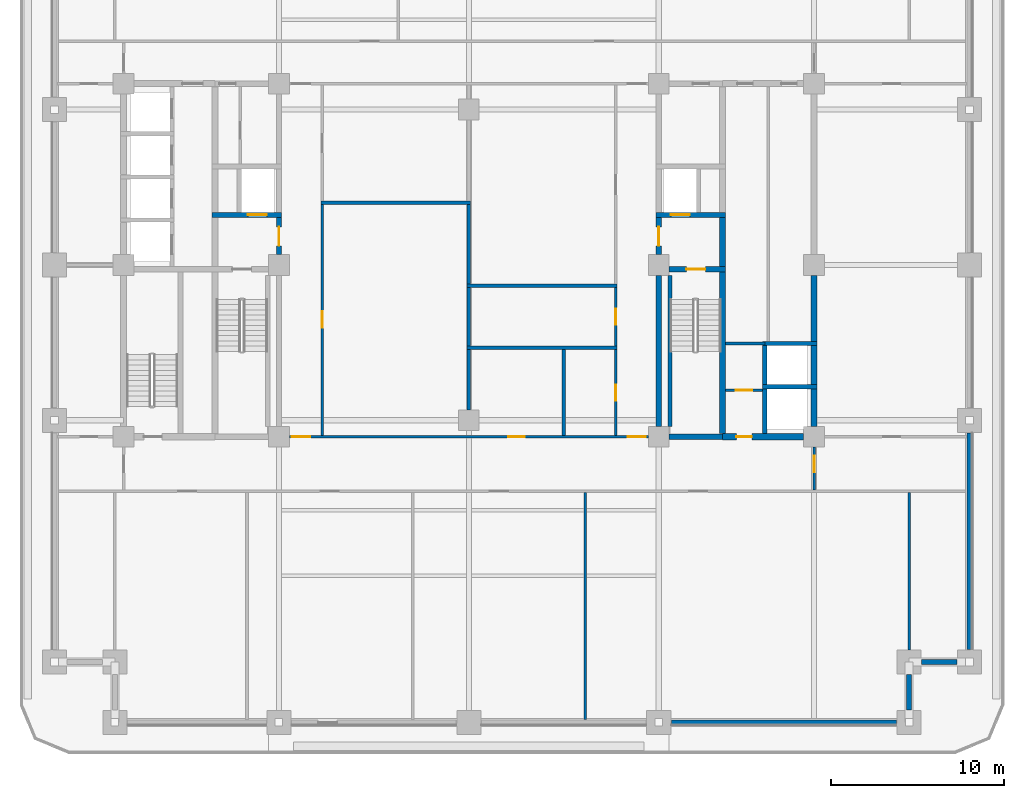
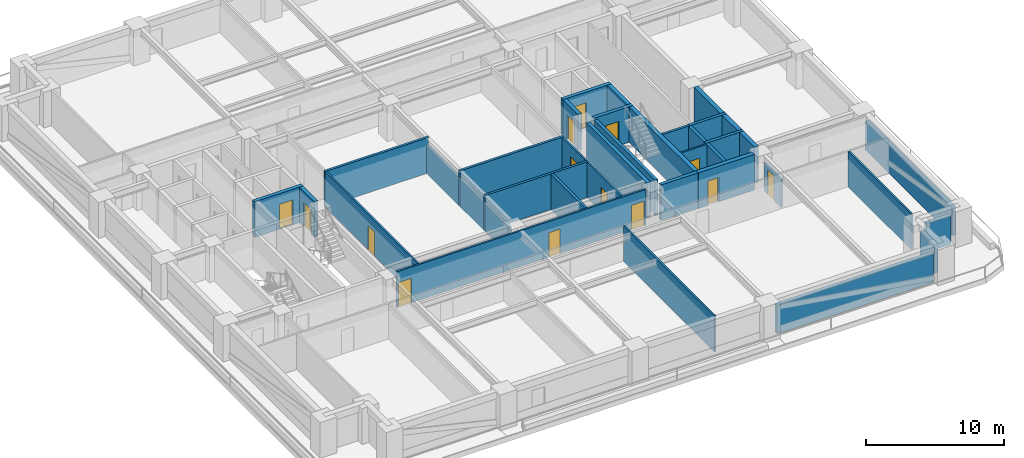
# One storey, part 3 of 12: 38 walls, 14 doors, 14 openings.
"""IFC4 building model written with IfcOpenShell, lengths in metres."""

from ifc_helpers import new_model, si_unit, direction, frame, frame_2d, origin, place, context, subcontext, project, spatial, rectangle, extrude, material, layer, layer_set, type_object, element, fill, save


model = new_model("IFC4")

# Units and contexts
model_context = context("Model", 3, precision=1e-05, world=origin(), true_north=direction((0.0, 1.0)))
body_context = subcontext(model_context, "Body", "Model", "MODEL_VIEW")
ifc_project = project(units=[si_unit("LENGTHUNIT", "METRE"), si_unit("AREAUNIT", "SQUARE_METRE"), si_unit("VOLUMEUNIT", "CUBIC_METRE"), si_unit("PLANEANGLEUNIT", "RADIAN"), si_unit("MASSUNIT", "GRAM", prefix="KILO")], contexts=[model_context])

# Site, building, storey
site_placement = place(None, origin())
site = spatial("IfcSite", under=ifc_project, at=site_placement, CompositionType="ELEMENT")
building_placement = place(site_placement, origin())
building = spatial("IfcBuilding", under=site, at=building_placement, Name="Zulmaris Gate Convention Tower", CompositionType="ELEMENT")
storey_placement = place(building_placement, frame((0.0, 0.0, 48.6201171875)))
storey = spatial("IfcBuildingStorey", under=building, at=storey_placement, Name="L11", CompositionType="ELEMENT", Elevation=48.6201171875)

# Walls
ifc_material_1 = material(Name="Concrete C50/60", Category="concrete")
ifc_layer_1 = layer(ifc_material_1, 0.25, Name="Concrete C50/60")
ifc_layer_set_1 = layer_set([ifc_layer_1], Name="Concrete C50/60")
wall_type_1 = type_object("IfcWallType", Name="CORE-250", PredefinedType="SOLIDWALL", material=ifc_layer_set_1)
for number, where, z_axis, x_axis, name in (
    (1, (17.02490234375, -7.050048828125, 0.0), (0.0, 0.0, 1.0), (1.0, 0.0, 0.0), "WL-L11-005"),
    (2, (17.02490234375, -4.550048828125, 0.0), (0.0, 0.0, 1.0), (1.0, 0.0, 0.0), "WL-L11-006"),
):
    element("IfcWall", number, at=place(storey_placement, frame(where, z_axis=z_axis, x_axis=x_axis)), inside=storey, type_object=wall_type_1, Name=name, PredefinedType="SOLIDWALL", context=body_context, shape_type="SweptSolid", body=[
        extrude(rectangle(XDim=3.150146484375, YDim=0.25, at=frame_2d((1.5751953125, 0.0))), origin(), (0.0, 0.0, 1.0), 3.144775390625),
    ])
wall_1_placement = place(storey_placement, frame((11.64990234375, -9.345947265625, 0.0), z_axis=(0.0, 0.0, 1.0), x_axis=(0.0, 1.0, 0.0)))
element("IfcWall", 3, at=wall_1_placement, inside=storey, type_object=wall_type_1, Name="WL-L11-058", PredefinedType="SOLIDWALL", context=body_context, shape_type="SweptSolid", body=[
    extrude(rectangle(XDim=8.741943359375, YDim=0.25, at=frame_2d((4.37109375, 0.0))), origin(), (0.0, 0.0, 1.0), 3.144775390625),
])
wall_2_placement = place(storey_placement, frame((17.14990234375, -9.77294921875, 0.0), z_axis=(0.0, 0.0, 1.0), x_axis=(0.0, 1.0, 0.0)))
element("IfcWall", 4, at=wall_2_placement, inside=storey, type_object=wall_type_1, Name="WL-L11-064", PredefinedType="SOLIDWALL", context=body_context, shape_type="SweptSolid", body=[
    extrude(rectangle(XDim=2.595947265625, YDim=0.25, at=frame_2d((1.2978515625, 0.0))), origin(), (0.0, 0.0, 1.0), 3.144775390625),
])
wall_3_placement = place(storey_placement, frame((17.14990234375, -6.923095703125, 0.0), z_axis=(0.0, 0.0, 1.0), x_axis=(0.0, 1.0, 0.0)))
element("IfcWall", 5, at=wall_3_placement, inside=storey, type_object=wall_type_1, Name="WL-L11-065", PredefinedType="SOLIDWALL", context=body_context, shape_type="SweptSolid", body=[
    extrude(rectangle(XDim=2.24609375, YDim=0.25, at=frame_2d((1.123046875, 0.0))), origin(), (0.0, 0.0, 1.0), 3.144775390625),
])
ifc_layer_2 = layer(ifc_material_1, 0.300048828125, Name="Concrete C50/60")
ifc_layer_set_2 = layer_set([ifc_layer_2], Name="Concrete C50/60")
wall_type_2 = type_object("IfcWallType", Name="CORE-300", PredefinedType="SHEAR", material=ifc_layer_set_2)
wall_4_placement = place(storey_placement, frame((11.60400390625, -9.949951171875, 0.0), z_axis=(0.0, 0.0, 1.0), x_axis=(1.0, 0.0, 0.0)))
element("IfcWall", 6, at=wall_4_placement, inside=storey, type_object=wall_type_2, Name="WL-L11-003", PredefinedType="SHEAR", context=body_context, shape_type="SweptSolid", body=[
    extrude(rectangle(XDim=3.095947265625, YDim=0.300048828125, at=frame_2d((1.5478515625, 0.0))), origin(), (0.0, 0.0, 1.0), 3.144775390625),
])

# Wall, opening, door
wall_5_placement = place(storey_placement, frame((11.60400390625, -0.25, 0.0), z_axis=(0.0, 0.0, 1.0), x_axis=(1.0, 0.0, 0.0)))
wall_5 = element("IfcWall", 7, at=wall_5_placement, inside=storey, type_object=wall_type_2, Name="WL-L11-008", PredefinedType="SHEAR", context=body_context, shape_type="SweptSolid", body=[
    extrude(rectangle(XDim=3.27099609375, YDim=0.300048828125, at=frame_2d((1.635498046875, 0.0))), origin(), (0.0, 0.0, 1.0), 3.144775390625),
])
opening_1_placement = place(wall_5_placement, frame((0.99609375, 0.0, 0.0)))
opening_1 = element("IfcOpeningElement", 8, at=opening_1_placement, cuts=wall_5, Name="Opening D-08", PredefinedType="OPENING", context=body_context, shape_type="SweptSolid", body=[
    extrude(rectangle(XDim=1.10009765625, YDim=2.14990234375, at=frame_2d((0.550048828125, 1.074951171875))), frame((0.0, 0.16015625, 0.0), z_axis=(0.0, -1.0, 0.0), x_axis=(1.0, 0.0, 0.0)), (0.0, 0.0, 1.0), 0.320068359375),
])
ifc_material_2 = material(Name="Fire-Rated Steel", Category="steel")
door_type_1 = type_object("IfcDoorType", Name="DR-1100-FD", OperationType="NOTDEFINED", PredefinedType="DOOR", material=ifc_material_2)
door_1_placement = place(opening_1_placement, origin())
door_1 = element("IfcDoor", 9, at=door_1_placement, inside=storey, type_object=door_type_1, Name="L11 Exit Stair ST-2 Door 04", OperationType="SINGLE_SWING_RIGHT", OverallHeight=2.14990234375, OverallWidth=1.10009765625, PredefinedType="DOOR", context=body_context, shape_type="SweptSolid", body=[
    extrude(rectangle(XDim=1.10009765625, YDim=2.14990234375, at=frame_2d((0.550048828125, 1.074951171875))), frame((0.0, 0.02490234375, 0.0), z_axis=(0.0, -1.0, 0.0), x_axis=(1.0, 0.0, 0.0)), (0.0, 0.0, 1.0), 0.050048828125),
])
fill(opening_1, door_1)

wall_6_placement = place(storey_placement, frame((-14.875, 2.89990234375, 0.0), z_axis=(0.0, 0.0, 1.0), x_axis=(1.0, 0.0, 0.0)))
wall_6 = element("IfcWall", 10, at=wall_6_placement, inside=storey, type_object=wall_type_2, Name="WL-L11-010", PredefinedType="SHEAR", context=body_context, shape_type="SweptSolid", body=[
    extrude(rectangle(XDim=4.02490234375, YDim=0.300048828125, at=frame_2d((2.012451171875, 0.0))), origin(), (0.0, 0.0, 1.0), 3.144775390625),
])
opening_2_placement = place(wall_6_placement, frame((2.074951171875, 0.0, 0.0)))
opening_2 = element("IfcOpeningElement", 11, at=opening_2_placement, cuts=wall_6, Name="Opening D-06", PredefinedType="OPENING", context=body_context, shape_type="SweptSolid", body=[
    extrude(rectangle(XDim=1.10009765625, YDim=2.199951171875, at=frame_2d((0.550048828125, 1.10009765625))), frame((0.0, 0.16015625, 0.0), z_axis=(0.0, -1.0, 0.0), x_axis=(1.0, 0.0, 0.0)), (0.0, 0.0, 1.0), 0.320068359375),
])
ifc_material_3 = material(Name="Brushed Stainless Steel", Category="steel")
door_type_2 = type_object("IfcDoorType", Name="LD-1100", OperationType="NOTDEFINED", PredefinedType="DOOR", material=ifc_material_3)
door_2_placement = place(opening_2_placement, origin())
door_2 = element("IfcDoor", 12, at=door_2_placement, inside=storey, type_object=door_type_2, Name="L11 Lift Landing Door LF-01 03", OperationType="SLIDING_TO_LEFT", OverallHeight=2.199951171875, OverallWidth=1.10009765625, PredefinedType="DOOR", context=body_context, shape_type="SweptSolid", body=[
    extrude(rectangle(XDim=1.10009765625, YDim=2.199951171875, at=frame_2d((0.550048828125, 1.10009765625))), frame((0.0, 0.02490234375, 0.0), z_axis=(0.0, -1.0, 0.0), x_axis=(1.0, 0.0, 0.0)), (0.0, 0.0, 1.0), 0.050048828125),
])
fill(opening_2, door_2)

wall_7_placement = place(storey_placement, frame((10.85009765625, 2.89990234375, 0.0), z_axis=(0.0, 0.0, 1.0), x_axis=(1.0, 0.0, 0.0)))
wall_7 = element("IfcWall", 13, at=wall_7_placement, inside=storey, type_object=wall_type_2, Name="WL-L11-011", PredefinedType="SHEAR", context=body_context, shape_type="SweptSolid", body=[
    extrude(rectangle(XDim=4.02490234375, YDim=0.300048828125, at=frame_2d((2.012451171875, 0.0))), origin(), (0.0, 0.0, 1.0), 3.144775390625),
])
opening_3_placement = place(wall_7_placement, frame((0.85009765625, 0.0, 0.0)))
opening_3 = element("IfcOpeningElement", 14, at=opening_3_placement, cuts=wall_7, Name="Opening D-06", PredefinedType="OPENING", context=body_context, shape_type="SweptSolid", body=[
    extrude(rectangle(XDim=1.10009765625, YDim=2.199951171875, at=frame_2d((0.550048828125, 1.10009765625))), frame((0.0, 0.16015625, 0.0), z_axis=(0.0, -1.0, 0.0), x_axis=(1.0, 0.0, 0.0)), (0.0, 0.0, 1.0), 0.320068359375),
])
door_3_placement = place(opening_3_placement, origin())
door_3 = element("IfcDoor", 15, at=door_3_placement, inside=storey, type_object=door_type_2, Name="L11 Lift Landing Door LF-02 06", OperationType="SLIDING_TO_RIGHT", OverallHeight=2.199951171875, OverallWidth=1.10009765625, PredefinedType="DOOR", context=body_context, shape_type="SweptSolid", body=[
    extrude(rectangle(XDim=1.10009765625, YDim=2.199951171875, at=frame_2d((0.550048828125, 1.10009765625))), frame((0.0, 0.02490234375, 0.0), z_axis=(0.0, -1.0, 0.0), x_axis=(1.0, 0.0, 0.0)), (0.0, 0.0, 1.0), 0.050048828125),
])
fill(opening_3, door_3)

wall_8_placement = place(storey_placement, frame((-11.0, 0.60400390625, 0.0), z_axis=(0.0, 0.0, 1.0), x_axis=(0.0, 1.0, 0.0)))
wall_8 = element("IfcWall", 16, at=wall_8_placement, inside=storey, type_object=wall_type_2, Name="WL-L11-051", PredefinedType="SHEAR", context=body_context, shape_type="SweptSolid", body=[
    extrude(rectangle(XDim=2.14404296875, YDim=0.300048828125, at=frame_2d((1.072021484375, 0.0))), origin(), (0.0, 0.0, 1.0), 3.144775390625),
])
opening_4_placement = place(wall_8_placement, frame((0.49609375, 0.0, 0.0)))
opening_4 = element("IfcOpeningElement", 17, at=opening_4_placement, cuts=wall_8, Name="Opening D-08", PredefinedType="OPENING", context=body_context, shape_type="SweptSolid", body=[
    extrude(rectangle(XDim=1.10009765625, YDim=2.14990234375, at=frame_2d((0.550048828125, 1.074951171875))), frame((0.0, 0.16015625, 0.0), z_axis=(0.0, -1.0, 0.0), x_axis=(1.0, 0.0, 0.0)), (0.0, 0.0, 1.0), 0.320068359375),
])
door_4_placement = place(opening_4_placement, origin())
door_4 = element("IfcDoor", 18, at=door_4_placement, inside=storey, type_object=door_type_1, Name="L11 West Firefighting Lobby Door 02", OperationType="SINGLE_SWING_LEFT", OverallHeight=2.14990234375, OverallWidth=1.10009765625, PredefinedType="DOOR", context=body_context, shape_type="SweptSolid", body=[
    extrude(rectangle(XDim=1.10009765625, YDim=2.14990234375, at=frame_2d((0.550048828125, 1.074951171875))), frame((0.0, 0.02490234375, 0.0), z_axis=(0.0, -1.0, 0.0), x_axis=(1.0, 0.0, 0.0)), (0.0, 0.0, 1.0), 0.050048828125),
])
fill(opening_4, door_4)

# Wall
wall_9_placement = place(storey_placement, frame((11.0, -9.345947265625, 0.0), z_axis=(0.0, 0.0, 1.0), x_axis=(0.0, 1.0, 0.0)))
element("IfcWall", 19, at=wall_9_placement, inside=storey, type_object=wall_type_2, Name="WL-L11-054", PredefinedType="SHEAR", context=body_context, shape_type="SweptSolid", body=[
    extrude(rectangle(XDim=8.741943359375, YDim=0.300048828125, at=frame_2d((4.37109375, 0.0))), origin(), (0.0, 0.0, 1.0), 3.144775390625),
])

# Wall, opening, door
wall_10_placement = place(storey_placement, frame((11.0, 0.60400390625, 0.0), z_axis=(0.0, 0.0, 1.0), x_axis=(0.0, 1.0, 0.0)))
wall_10 = element("IfcWall", 20, at=wall_10_placement, inside=storey, type_object=wall_type_2, Name="WL-L11-055", PredefinedType="SHEAR", context=body_context, shape_type="SweptSolid", body=[
    extrude(rectangle(XDim=2.14404296875, YDim=0.300048828125, at=frame_2d((1.072021484375, 0.0))), origin(), (0.0, 0.0, 1.0), 3.144775390625),
])
opening_5_placement = place(wall_10_placement, frame((0.49609375, 0.0, 0.0)))
opening_5 = element("IfcOpeningElement", 21, at=opening_5_placement, cuts=wall_10, Name="Opening D-08", PredefinedType="OPENING", context=body_context, shape_type="SweptSolid", body=[
    extrude(rectangle(XDim=1.10009765625, YDim=2.14990234375, at=frame_2d((0.550048828125, 1.074951171875))), frame((0.0, 0.16015625, 0.0), z_axis=(0.0, -1.0, 0.0), x_axis=(1.0, 0.0, 0.0)), (0.0, 0.0, 1.0), 0.320068359375),
])
door_5_placement = place(opening_5_placement, origin())
door_5 = element("IfcDoor", 22, at=door_5_placement, inside=storey, type_object=door_type_1, Name="L11 East Firefighting Lobby Door 05", OperationType="SINGLE_SWING_LEFT", OverallHeight=2.14990234375, OverallWidth=1.10009765625, PredefinedType="DOOR", context=body_context, shape_type="SweptSolid", body=[
    extrude(rectangle(XDim=1.10009765625, YDim=2.14990234375, at=frame_2d((0.550048828125, 1.074951171875))), frame((0.0, 0.02490234375, 0.0), z_axis=(0.0, -1.0, 0.0), x_axis=(1.0, 0.0, 0.0)), (0.0, 0.0, 1.0), 0.050048828125),
])
fill(opening_5, door_5)

ifc_material_4 = material(Name="Concrete C55/67", Category="concrete")
ifc_layer_3 = layer(ifc_material_4, 0.35009765625, Name="Concrete C55/67")
ifc_layer_set_3 = layer_set([ifc_layer_3], Name="Concrete C55/67")
wall_type_3 = type_object("IfcWallType", Name="CORE-350", PredefinedType="SHEAR", material=ifc_layer_set_3)
wall_11_placement = place(storey_placement, frame((14.699951171875, -9.949951171875, 0.0), z_axis=(0.0, 0.0, 1.0), x_axis=(1.0, 0.0, 0.0)))
wall_11 = element("IfcWall", 23, at=wall_11_placement, inside=storey, type_object=wall_type_3, Name="WL-L11-004", PredefinedType="SHEAR", context=body_context, shape_type="SweptSolid", body=[
    extrude(rectangle(XDim=4.696044921875, YDim=0.35009765625, at=frame_2d((2.34814453125, 0.0))), origin(), (0.0, 0.0, 1.0), 3.144775390625),
])
opening_6_placement = place(wall_11_placement, frame((0.800048828125, 0.0, 0.0)))
opening_6 = element("IfcOpeningElement", 24, at=opening_6_placement, cuts=wall_11, Name="Opening D-12", PredefinedType="OPENING", context=body_context, shape_type="SweptSolid", body=[
    extrude(rectangle(XDim=0.89990234375, YDim=2.14990234375, at=frame_2d((0.449951171875, 1.074951171875))), frame((0.0, 0.18505859375, 0.0), z_axis=(0.0, -1.0, 0.0), x_axis=(1.0, 0.0, 0.0)), (0.0, 0.0, 1.0), 0.3701171875),
])
ifc_material_5 = material(Name="Fire-Rated Timber", Category="wood")
door_type_3 = type_object("IfcDoorType", Name="DR-900-FD", OperationType="NOTDEFINED", PredefinedType="DOOR", material=ifc_material_5)
door_6_placement = place(opening_6_placement, origin())
door_6 = element("IfcDoor", 25, at=door_6_placement, inside=storey, type_object=door_type_3, Name="L11 East Cleaners Store Door 16", OperationType="SINGLE_SWING_LEFT", OverallHeight=2.14990234375, OverallWidth=0.89990234375, PredefinedType="DOOR", context=body_context, shape_type="SweptSolid", body=[
    extrude(rectangle(XDim=0.89990234375, YDim=2.14990234375, at=frame_2d((0.449951171875, 1.074951171875))), frame((0.0, 0.02490234375, 0.0), z_axis=(0.0, -1.0, 0.0), x_axis=(1.0, 0.0, 0.0)), (0.0, 0.0, 1.0), 0.050048828125),
])
fill(opening_6, door_6)

# Walls
wall_12_placement = place(storey_placement, frame((14.699951171875, -9.77294921875, 0.0), z_axis=(0.0, 0.0, 1.0), x_axis=(0.0, 1.0, 0.0)))
element("IfcWall", 26, at=wall_12_placement, inside=storey, type_object=wall_type_3, Name="WL-L11-060", PredefinedType="SHEAR", context=body_context, shape_type="SweptSolid", body=[
    extrude(rectangle(XDim=9.370849609375, YDim=0.35009765625, at=frame_2d((4.685546875, 0.0))), origin(), (0.0, 0.0, 1.0), 3.144775390625),
])
wall_13_placement = place(storey_placement, frame((14.699951171875, -0.097900390625, 0.0), z_axis=(0.0, 0.0, 1.0), x_axis=(0.0, 1.0, 0.0)))
element("IfcWall", 27, at=wall_13_placement, inside=storey, type_object=wall_type_3, Name="WL-L11-061", PredefinedType="SHEAR", context=body_context, shape_type="SweptSolid", body=[
    extrude(rectangle(XDim=2.845947265625, YDim=0.35009765625, at=frame_2d((1.4228515625, 0.0))), origin(), (0.0, 0.0, 1.0), 3.144775390625),
])
wall_14_placement = place(storey_placement, frame((20.0, -9.345947265625, 0.0), z_axis=(0.0, 0.0, 1.0), x_axis=(0.0, 1.0, 0.0)))
element("IfcWall", 28, at=wall_14_placement, inside=storey, type_object=wall_type_3, Name="WL-L11-066", PredefinedType="SHEAR", context=body_context, shape_type="SweptSolid", body=[
    extrude(rectangle(XDim=2.1689453125, YDim=0.35009765625, at=frame_2d((1.08447265625, 0.0))), origin(), (0.0, 0.0, 1.0), 3.144775390625),
])
wall_15_placement = place(storey_placement, frame((20.0, -6.923095703125, 0.0), z_axis=(0.0, 0.0, 1.0), x_axis=(0.0, 1.0, 0.0)))
element("IfcWall", 29, at=wall_15_placement, inside=storey, type_object=wall_type_3, Name="WL-L11-067", PredefinedType="SHEAR", context=body_context, shape_type="SweptSolid", body=[
    extrude(rectangle(XDim=2.24609375, YDim=0.35009765625, at=frame_2d((1.123046875, 0.0))), origin(), (0.0, 0.0, 1.0), 3.144775390625),
])
wall_16_placement = place(storey_placement, frame((20.0, -4.423095703125, 0.0), z_axis=(0.0, 0.0, 1.0), x_axis=(0.0, 1.0, 0.0)))
element("IfcWall", 30, at=wall_16_placement, inside=storey, type_object=wall_type_3, Name="WL-L11-068", PredefinedType="SHEAR", context=body_context, shape_type="SweptSolid", body=[
    extrude(rectangle(XDim=3.819091796875, YDim=0.35009765625, at=frame_2d((1.90966796875, 0.0))), origin(), (0.0, 0.0, 1.0), 3.144775390625),
])

# Wall, openings, doors
ifc_material_6 = material(Name="Gypsum Metal Stud Partition")
ifc_layer_4 = layer(ifc_material_6, 0.14990234375, Name="Gypsum Metal Stud Partition")
ifc_layer_set_4 = layer_set([ifc_layer_4], Name="Gypsum Metal Stud Partition")
wall_type_4 = type_object("IfcWallType", Name="PART-150", PredefinedType="PARTITIONING", material=ifc_layer_set_4)
wall_17_placement = place(storey_placement, frame((-10.39404296875, -9.949951171875, 0.0), z_axis=(0.0, 0.0, 1.0), x_axis=(1.0, 0.0, 0.0)))
wall_17 = element("IfcWall", 31, at=wall_17_placement, inside=storey, type_object=wall_type_4, Name="WL-L11-022", PredefinedType="PARTITIONING", context=body_context, shape_type="SweptSolid", body=[
    extrude(rectangle(XDim=20.7880859375, YDim=0.14990234375, at=frame_2d((10.39404296875, 0.0))), origin(), (0.0, 0.0, 1.0), 3.144775390625),
])
opening_7_placement = place(wall_17_placement, frame((0.14990234375, 0.0, 0.0)))
opening_7 = element("IfcOpeningElement", 32, at=opening_7_placement, cuts=wall_17, Name="Opening D-09", PredefinedType="OPENING", context=body_context, shape_type="SweptSolid", body=[
    extrude(rectangle(XDim=1.050048828125, YDim=2.14990234375, at=frame_2d((0.52490234375, 1.074951171875))), frame((0.0, 0.0849609375, 0.0), z_axis=(0.0, -1.0, 0.0), x_axis=(1.0, 0.0, 0.0)), (0.0, 0.0, 1.0), 0.169921875),
])
opening_8_placement = place(wall_17_placement, frame((19.587890625, 0.0, 0.0)))
opening_8 = element("IfcOpeningElement", 33, at=opening_8_placement, cuts=wall_17, Name="Opening D-09", PredefinedType="OPENING", context=body_context, shape_type="SweptSolid", body=[
    extrude(rectangle(XDim=1.050048828125, YDim=2.14990234375, at=frame_2d((0.52490234375, 1.074951171875))), frame((0.0, 0.0849609375, 0.0), z_axis=(0.0, -1.0, 0.0), x_axis=(1.0, 0.0, 0.0)), (0.0, 0.0, 1.0), 0.169921875),
])
opening_9_placement = place(wall_17_placement, frame((12.6689453125, 0.0, 0.0)))
opening_9 = element("IfcOpeningElement", 34, at=opening_9_placement, cuts=wall_17, Name="Opening D-11", PredefinedType="OPENING", context=body_context, shape_type="SweptSolid", body=[
    extrude(rectangle(XDim=0.949951171875, YDim=2.14990234375, at=frame_2d((0.47509765625, 1.074951171875))), frame((0.0, 0.0849609375, 0.0), z_axis=(0.0, -1.0, 0.0), x_axis=(1.0, 0.0, 0.0)), (0.0, 0.0, 1.0), 0.169921875),
])
door_type_4 = type_object("IfcDoorType", Name="DR-1050-FD", OperationType="NOTDEFINED", PredefinedType="DOOR", material=ifc_material_2)
door_7_placement = place(opening_7_placement, origin())
door_7 = element("IfcDoor", 35, at=door_7_placement, inside=storey, type_object=door_type_4, Name="L11 SW Spine Link Door 21", OperationType="SINGLE_SWING_RIGHT", OverallHeight=2.14990234375, OverallWidth=1.050048828125, PredefinedType="DOOR", context=body_context, shape_type="SweptSolid", body=[
    extrude(rectangle(XDim=1.050048828125, YDim=2.14990234375, at=frame_2d((0.52490234375, 1.074951171875))), frame((0.0, 0.02490234375, 0.0), z_axis=(0.0, -1.0, 0.0), x_axis=(1.0, 0.0, 0.0)), (0.0, 0.0, 1.0), 0.050048828125),
])
fill(opening_7, door_7)
door_8_placement = place(opening_8_placement, origin())
door_8 = element("IfcDoor", 36, at=door_8_placement, inside=storey, type_object=door_type_4, Name="L11 SE Spine Link Door 23", OperationType="SINGLE_SWING_RIGHT", OverallHeight=2.14990234375, OverallWidth=1.050048828125, PredefinedType="DOOR", context=body_context, shape_type="SweptSolid", body=[
    extrude(rectangle(XDim=1.050048828125, YDim=2.14990234375, at=frame_2d((0.52490234375, 1.074951171875))), frame((0.0, 0.02490234375, 0.0), z_axis=(0.0, -1.0, 0.0), x_axis=(1.0, 0.0, 0.0)), (0.0, 0.0, 1.0), 0.050048828125),
])
fill(opening_8, door_8)
door_type_5 = type_object("IfcDoorType", Name="DR-950-FD", OperationType="NOTDEFINED", PredefinedType="DOOR", material=ifc_material_5)
door_9_placement = place(opening_9_placement, origin())
door_9 = element("IfcDoor", 37, at=door_9_placement, inside=storey, type_object=door_type_5, Name="L11 Print Room Door 35", OperationType="SINGLE_SWING_RIGHT", OverallHeight=2.14990234375, OverallWidth=0.949951171875, PredefinedType="DOOR", context=body_context, shape_type="SweptSolid", body=[
    extrude(rectangle(XDim=0.949951171875, YDim=2.14990234375, at=frame_2d((0.47509765625, 1.074951171875))), frame((0.0, 0.02490234375, 0.0), z_axis=(0.0, -1.0, 0.0), x_axis=(1.0, 0.0, 0.0)), (0.0, 0.0, 1.0), 0.050048828125),
])
fill(opening_9, door_9)

# Wall, opening, door
wall_18_placement = place(storey_placement, frame((14.8779296875, -7.25, 0.0), z_axis=(0.0, 0.0, 1.0), x_axis=(1.0, 0.0, 0.0)))
wall_18 = element("IfcWall", 38, at=wall_18_placement, inside=storey, type_object=wall_type_4, Name="WL-L11-024", PredefinedType="PARTITIONING", context=body_context, shape_type="SweptSolid", body=[
    extrude(rectangle(XDim=2.14404296875, YDim=0.14990234375, at=frame_2d((1.072021484375, 0.0))), origin(), (0.0, 0.0, 1.0), 3.144775390625),
])
opening_10_placement = place(wall_18_placement, frame((0.596923828125, 0.0, 0.0)))
opening_10 = element("IfcOpeningElement", 39, at=opening_10_placement, cuts=wall_18, Name="Opening D-11", PredefinedType="OPENING", context=body_context, shape_type="SweptSolid", body=[
    extrude(rectangle(XDim=0.949951171875, YDim=2.14990234375, at=frame_2d((0.47509765625, 1.074951171875))), frame((0.0, 0.0849609375, 0.0), z_axis=(0.0, -1.0, 0.0), x_axis=(1.0, 0.0, 0.0)), (0.0, 0.0, 1.0), 0.169921875),
])
door_10_placement = place(opening_10_placement, origin())
door_10 = element("IfcDoor", 40, at=door_10_placement, inside=storey, type_object=door_type_5, Name="L11 East Meter Store Door 17", OperationType="SINGLE_SWING_RIGHT", OverallHeight=2.14990234375, OverallWidth=0.949951171875, PredefinedType="DOOR", context=body_context, shape_type="SweptSolid", body=[
    extrude(rectangle(XDim=0.949951171875, YDim=2.14990234375, at=frame_2d((0.47509765625, 1.074951171875))), frame((0.0, 0.02490234375, 0.0), z_axis=(0.0, -1.0, 0.0), x_axis=(1.0, 0.0, 0.0)), (0.0, 0.0, 1.0), 0.050048828125),
])
fill(opening_10, door_10)

wall_19_placement = place(storey_placement, frame((-8.5, -9.8720703125, 0.0), z_axis=(0.0, 0.0, 1.0), x_axis=(0.0, 1.0, 0.0)))
wall_19 = element("IfcWall", 41, at=wall_19_placement, inside=storey, type_object=wall_type_4, Name="WL-L11-075", PredefinedType="PARTITIONING", context=body_context, shape_type="SweptSolid", body=[
    extrude(rectangle(XDim=13.369140625, YDim=0.14990234375, at=frame_2d((6.6845703125, 0.0))), origin(), (0.0, 0.0, 1.0), 3.144775390625),
])
opening_11_placement = place(wall_19_placement, frame((6.22705078125, 0.0, 0.0)))
opening_11 = element("IfcOpeningElement", 42, at=opening_11_placement, cuts=wall_19, Name="Opening D-11", PredefinedType="OPENING", context=body_context, shape_type="SweptSolid", body=[
    extrude(rectangle(XDim=0.949951171875, YDim=2.14990234375, at=frame_2d((0.47509765625, 1.074951171875))), frame((0.0, 0.0849609375, 0.0), z_axis=(0.0, -1.0, 0.0), x_axis=(1.0, 0.0, 0.0)), (0.0, 0.0, 1.0), 0.169921875),
])
door_11_placement = place(opening_11_placement, origin())
door_11 = element("IfcDoor", 43, at=door_11_placement, inside=storey, type_object=door_type_5, Name="L11 Wellness Pantry Door 31", OperationType="SINGLE_SWING_RIGHT", OverallHeight=2.14990234375, OverallWidth=0.949951171875, PredefinedType="DOOR", context=body_context, shape_type="SweptSolid", body=[
    extrude(rectangle(XDim=0.949951171875, YDim=2.14990234375, at=frame_2d((0.47509765625, 1.074951171875))), frame((0.0, 0.02490234375, 0.0), z_axis=(0.0, -1.0, 0.0), x_axis=(1.0, 0.0, 0.0)), (0.0, 0.0, 1.0), 0.050048828125),
])
fill(opening_11, door_11)

# Wall
wall_20_placement = place(storey_placement, frame((6.75, -26.3349609375, 0.0), z_axis=(0.0, 0.0, 1.0), x_axis=(0.0, 1.0, 0.0)))
element("IfcWall", 44, at=wall_20_placement, inside=storey, type_object=wall_type_4, Name="WL-L11-084", PredefinedType="PARTITIONING", context=body_context, shape_type="SweptSolid", body=[
    extrude(rectangle(XDim=13.156982421875, YDim=0.14990234375, at=frame_2d((6.57861328125, 0.0))), origin(), (0.0, 0.0, 1.0), 3.144775390625),
])

# Wall, opening, door
wall_21_placement = place(storey_placement, frame((8.5, -9.8720703125, 0.0), z_axis=(0.0, 0.0, 1.0), x_axis=(0.0, 1.0, 0.0)))
wall_21 = element("IfcWall", 45, at=wall_21_placement, inside=storey, type_object=wall_type_4, Name="WL-L11-085", PredefinedType="PARTITIONING", context=body_context, shape_type="SweptSolid", body=[
    extrude(rectangle(XDim=4.968994140625, YDim=0.14990234375, at=frame_2d((2.484375, 0.0))), origin(), (0.0, 0.0, 1.0), 3.144775390625),
])
opening_12_placement = place(wall_21_placement, frame((1.9970703125, 0.0, 0.0)))
opening_12 = element("IfcOpeningElement", 46, at=opening_12_placement, cuts=wall_21, Name="Opening D-11", PredefinedType="OPENING", context=body_context, shape_type="SweptSolid", body=[
    extrude(rectangle(XDim=0.949951171875, YDim=2.14990234375, at=frame_2d((0.47509765625, 1.074951171875))), frame((0.0, 0.0849609375, 0.0), z_axis=(0.0, -1.0, 0.0), x_axis=(1.0, 0.0, 0.0)), (0.0, 0.0, 1.0), 0.169921875),
])
door_12_placement = place(opening_12_placement, origin())
door_12 = element("IfcDoor", 47, at=door_12_placement, inside=storey, type_object=door_type_5, Name="L11 Accessible WC Door 34", OperationType="SINGLE_SWING_LEFT", OverallHeight=2.14990234375, OverallWidth=0.949951171875, PredefinedType="DOOR", context=body_context, shape_type="SweptSolid", body=[
    extrude(rectangle(XDim=0.949951171875, YDim=2.14990234375, at=frame_2d((0.47509765625, 1.074951171875))), frame((0.0, 0.02490234375, 0.0), z_axis=(0.0, -1.0, 0.0), x_axis=(1.0, 0.0, 0.0)), (0.0, 0.0, 1.0), 0.050048828125),
])
fill(opening_12, door_12)

wall_22_placement = place(storey_placement, frame((8.5, -4.697021484375, 0.0), z_axis=(0.0, 0.0, 1.0), x_axis=(0.0, 1.0, 0.0)))
wall_22 = element("IfcWall", 48, at=wall_22_placement, inside=storey, type_object=wall_type_4, Name="WL-L11-086", PredefinedType="PARTITIONING", context=body_context, shape_type="SweptSolid", body=[
    extrude(rectangle(XDim=3.39404296875, YDim=0.14990234375, at=frame_2d((1.697021484375, 0.0))), origin(), (0.0, 0.0, 1.0), 3.144775390625),
])
opening_13_placement = place(wall_22_placement, frame((1.221923828125, 0.0, 0.0)))
opening_13 = element("IfcOpeningElement", 49, at=opening_13_placement, cuts=wall_22, Name="Opening D-11", PredefinedType="OPENING", context=body_context, shape_type="SweptSolid", body=[
    extrude(rectangle(XDim=0.949951171875, YDim=2.14990234375, at=frame_2d((0.47509765625, 1.074951171875))), frame((0.0, 0.0849609375, 0.0), z_axis=(0.0, -1.0, 0.0), x_axis=(1.0, 0.0, 0.0)), (0.0, 0.0, 1.0), 0.169921875),
])
door_13_placement = place(opening_13_placement, origin())
door_13 = element("IfcDoor", 50, at=door_13_placement, inside=storey, type_object=door_type_5, Name="L11 Public WC Door 33", OperationType="SINGLE_SWING_RIGHT", OverallHeight=2.14990234375, OverallWidth=0.949951171875, PredefinedType="DOOR", context=body_context, shape_type="SweptSolid", body=[
    extrude(rectangle(XDim=0.949951171875, YDim=2.14990234375, at=frame_2d((0.47509765625, 1.074951171875))), frame((0.0, 0.02490234375, 0.0), z_axis=(0.0, -1.0, 0.0), x_axis=(1.0, 0.0, 0.0)), (0.0, 0.0, 1.0), 0.050048828125),
])
fill(opening_13, door_13)

wall_23_placement = place(storey_placement, frame((20.0, -13.02197265625, 0.0), z_axis=(0.0, 0.0, 1.0), x_axis=(0.0, 1.0, 0.0)))
wall_23 = element("IfcWall", 51, at=wall_23_placement, inside=storey, type_object=wall_type_4, Name="WL-L11-089", PredefinedType="PARTITIONING", context=body_context, shape_type="SweptSolid", body=[
    extrude(rectangle(XDim=2.466064453125, YDim=0.14990234375, at=frame_2d((1.23291015625, 0.0))), origin(), (0.0, 0.0, 1.0), 2.48486328125),
])
opening_14_placement = place(wall_23_placement, frame((1.027099609375, 0.0, 0.0)))
opening_14 = element("IfcOpeningElement", 52, at=opening_14_placement, cuts=wall_23, Name="Opening D-11", PredefinedType="OPENING", context=body_context, shape_type="SweptSolid", body=[
    extrude(rectangle(XDim=0.949951171875, YDim=2.14990234375, at=frame_2d((0.47509765625, 1.074951171875))), frame((0.0, 0.0849609375, 0.0), z_axis=(0.0, -1.0, 0.0), x_axis=(1.0, 0.0, 0.0)), (0.0, 0.0, 1.0), 0.169921875),
])
door_14_placement = place(opening_14_placement, origin())
door_14 = element("IfcDoor", 53, at=door_14_placement, inside=storey, type_object=door_type_5, Name="L11 SE Spur Door 41", OperationType="SINGLE_SWING_RIGHT", OverallHeight=2.14990234375, OverallWidth=0.949951171875, PredefinedType="DOOR", context=body_context, shape_type="SweptSolid", body=[
    extrude(rectangle(XDim=0.949951171875, YDim=2.14990234375, at=frame_2d((0.47509765625, 1.074951171875))), frame((0.0, 0.02490234375, 0.0), z_axis=(0.0, -1.0, 0.0), x_axis=(1.0, 0.0, 0.0)), (0.0, 0.0, 1.0), 0.050048828125),
])
fill(opening_14, door_14)

# Walls
wall_24_placement = place(storey_placement, frame((25.5, -22.2939453125, 0.0), z_axis=(0.0, 0.0, 1.0), x_axis=(0.0, 1.0, 0.0)))
element("IfcWall", 54, at=wall_24_placement, inside=storey, type_object=wall_type_4, Name="WL-L11-091", PredefinedType="PARTITIONING", context=body_context, shape_type="SweptSolid", body=[
    extrude(rectangle(XDim=9.115966796875, YDim=0.14990234375, at=frame_2d((4.55810546875, 0.0))), origin(), (0.0, 0.0, 1.0), 3.144775390625),
])
ifc_material_7 = material(Name="Autoclaved Aerated Concrete Block and Plasterboard", Category="concrete")
ifc_layer_5 = layer(ifc_material_7, 0.199951171875, Name="Autoclaved Aerated Concrete Block and Plasterboard")
ifc_layer_set_5 = layer_set([ifc_layer_5], Name="Autoclaved Aerated Concrete Block and Plasterboard")
wall_type_5 = type_object("IfcWallType", Name="PART-200", PredefinedType="PARTITIONING", material=ifc_layer_set_5)
wall_25_placement = place(storey_placement, frame((-0.10009765625, -4.800048828125, 0.0), z_axis=(0.0, 0.0, 1.0), x_axis=(1.0, 0.0, 0.0)))
element("IfcWall", 55, at=wall_25_placement, inside=storey, type_object=wall_type_5, Name="WL-L11-025", PredefinedType="PARTITIONING", context=body_context, shape_type="SweptSolid", body=[
    extrude(rectangle(XDim=8.675048828125, YDim=0.199951171875, at=frame_2d((4.33740234375, 0.0))), origin(), (0.0, 0.0, 1.0), 3.144775390625),
])
wall_26_placement = place(storey_placement, frame((14.8779296875, -4.550048828125, 0.0), z_axis=(0.0, 0.0, 1.0), x_axis=(1.0, 0.0, 0.0)))
element("IfcWall", 56, at=wall_26_placement, inside=storey, type_object=wall_type_5, Name="WL-L11-026", PredefinedType="PARTITIONING", context=body_context, shape_type="SweptSolid", body=[
    extrude(rectangle(XDim=2.27197265625, YDim=0.199951171875, at=frame_2d((1.135986328125, 0.0))), origin(), (0.0, 0.0, 1.0), 3.144775390625),
])
for number, where, z_axis, x_axis, name in (
    (57, (-0.10009765625, -1.199951171875, 0.0), (0.0, 0.0, 1.0), (1.0, 0.0, 0.0), "WL-L11-027"),
    (58, (-8.574951171875, 3.60009765625, 0.0), (0.0, 0.0, 1.0), (1.0, 0.0, 0.0), "WL-L11-029"),
):
    element("IfcWall", number, at=place(storey_placement, frame(where, z_axis=z_axis, x_axis=x_axis)), inside=storey, type_object=wall_type_5, Name=name, PredefinedType="PARTITIONING", context=body_context, shape_type="SweptSolid", body=[
        extrude(rectangle(XDim=8.675048828125, YDim=0.199951171875, at=frame_2d((4.33740234375, 0.0))), origin(), (0.0, 0.0, 1.0), 3.144775390625),
    ])
wall_27_placement = place(storey_placement, frame((0.0, -8.39404296875, 0.0), z_axis=(0.0, 0.0, 1.0), x_axis=(0.0, 1.0, 0.0)))
element("IfcWall", 59, at=wall_27_placement, inside=storey, type_object=wall_type_5, Name="WL-L11-079", PredefinedType="PARTITIONING", context=body_context, shape_type="SweptSolid", body=[
    extrude(rectangle(XDim=3.490966796875, YDim=0.199951171875, at=frame_2d((1.74560546875, 0.0))), origin(), (0.0, 0.0, 1.0), 2.48486328125),
])
wall_28_placement = place(storey_placement, frame((0.0, -4.697021484375, 0.0), z_axis=(0.0, 0.0, 1.0), x_axis=(0.0, 1.0, 0.0)))
element("IfcWall", 60, at=wall_28_placement, inside=storey, type_object=wall_type_5, Name="WL-L11-080", PredefinedType="PARTITIONING", context=body_context, shape_type="SweptSolid", body=[
    extrude(rectangle(XDim=3.39404296875, YDim=0.199951171875, at=frame_2d((1.697021484375, 0.0))), origin(), (0.0, 0.0, 1.0), 2.48486328125),
])
wall_29_placement = place(storey_placement, frame((0.0, -1.096923828125, 0.0), z_axis=(0.0, 0.0, 1.0), x_axis=(0.0, 1.0, 0.0)))
element("IfcWall", 61, at=wall_29_placement, inside=storey, type_object=wall_type_5, Name="WL-L11-081", PredefinedType="PARTITIONING", context=body_context, shape_type="SweptSolid", body=[
    extrude(rectangle(XDim=4.593994140625, YDim=0.199951171875, at=frame_2d((2.296875, 0.0))), origin(), (0.0, 0.0, 1.0), 2.48486328125),
])
wall_30_placement = place(storey_placement, frame((5.5, -9.8720703125, 0.0), z_axis=(0.0, 0.0, 1.0), x_axis=(0.0, 1.0, 0.0)))
element("IfcWall", 62, at=wall_30_placement, inside=storey, type_object=wall_type_5, Name="WL-L11-083", PredefinedType="PARTITIONING", context=body_context, shape_type="SweptSolid", body=[
    extrude(rectangle(XDim=4.968994140625, YDim=0.199951171875, at=frame_2d((2.484375, 0.0))), origin(), (0.0, 0.0, 1.0), 3.144775390625),
])
ifc_material_8 = material(Name="Precast concrete C40/50", Category="concrete")
ifc_layer_6 = layer(ifc_material_8, 0.300048828125, Name="Precast concrete C40/50")
ifc_layer_set_6 = layer_set([ifc_layer_6], Name="Precast concrete C40/50")
wall_type_6 = type_object("IfcWallType", Name="PRECAST-PIER-300", PredefinedType="STANDARD", material=ifc_layer_set_6)
for number, where, z_axis, x_axis, name in (
    (63, (25.5, -25.77001953125, 0.0), (0.0, 0.0, 1.0), (0.0, 1.0, 0.0), "EW-L11-NOTCH-SE1_0"),
    (64, (26.22998046875, -23.0, 0.0), (0.0, 0.0, 1.0), (1.0, 0.0, 0.0), "EW-L11-NOTCH-SE2_0"),
):
    element("IfcWall", number, at=place(storey_placement, frame(where, z_axis=z_axis, x_axis=x_axis)), inside=storey, type_object=wall_type_6, Name=name, PredefinedType="STANDARD", context=body_context, shape_type="SweptSolid", body=[
        extrude(rectangle(XDim=2.0400390625, YDim=0.300048828125, at=frame_2d((1.02001953125, 0.0))), origin(), (0.0, 0.0, 1.0), 2.536865234375),
    ])
wall_31_placement = place(storey_placement, frame((11.72998046875, -26.5, 0.0), z_axis=(0.0, 0.0, 1.0), x_axis=(1.0, 0.0, 0.0)))
element("IfcWall", 65, at=wall_31_placement, inside=storey, type_object=wall_type_6, Name="EW-L11-S-3_0", PredefinedType="STANDARD", context=body_context, shape_type="SweptSolid", body=[
    extrude(rectangle(XDim=13.0400390625, YDim=0.300048828125, at=frame_2d((6.52001953125, 0.0))), origin(), (0.0, 0.0, 1.0), 2.536865234375),
])
wall_32_placement = place(storey_placement, frame((29.0, -22.27001953125, 0.0), z_axis=(0.0, 0.0, 1.0), x_axis=(0.0, 1.0, 0.0)))
element("IfcWall", 66, at=wall_32_placement, inside=storey, type_object=wall_type_6, Name="EW-L11-E-0_0", PredefinedType="STANDARD", context=body_context, shape_type="SweptSolid", body=[
    extrude(rectangle(XDim=12.5400390625, YDim=0.300048828125, at=frame_2d((6.27001953125, 0.0))), origin(), (0.0, 0.0, 1.0), 2.536865234375),
])

save(model, "model.ifc")
